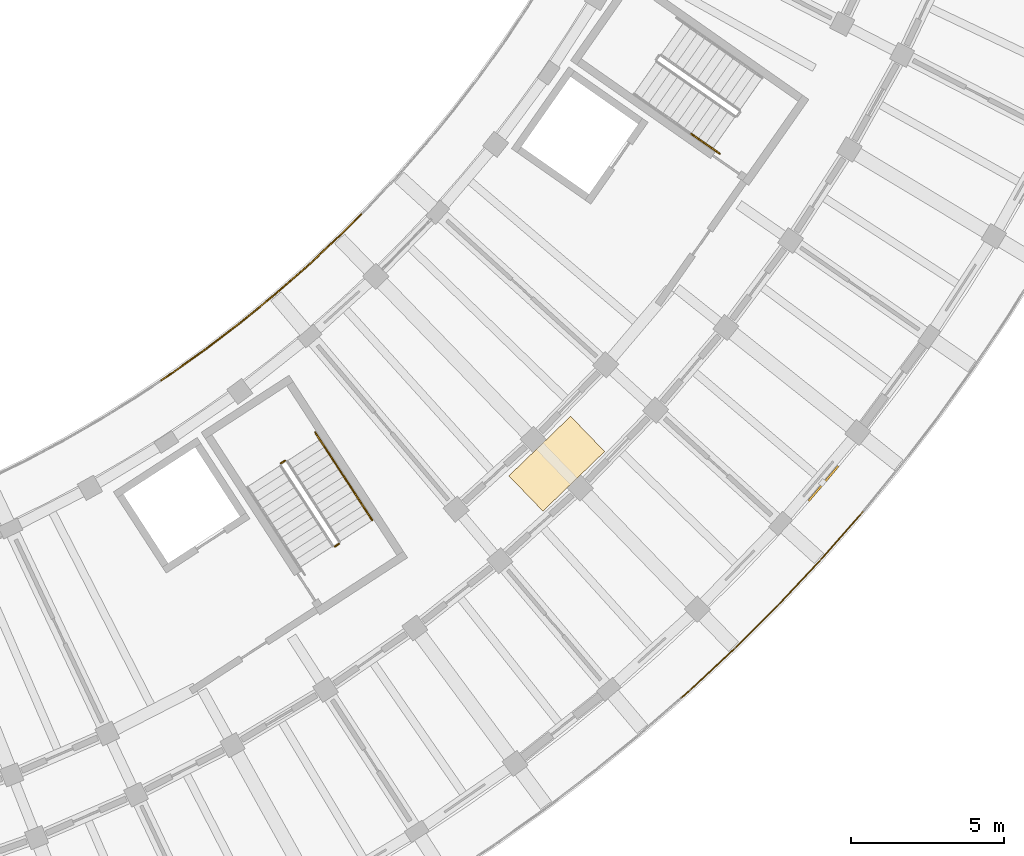
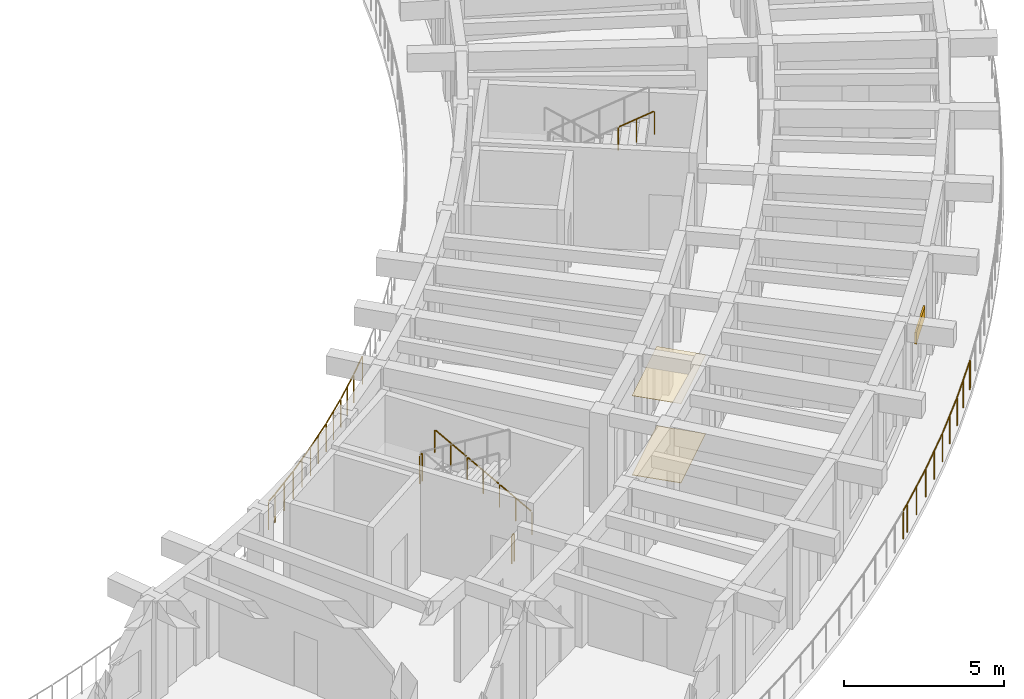
# One storey, part 121 of 128: 8 railings, 2 coverings, 1 shading device.
"""IFC4 building model written with IfcOpenShell, lengths in metres."""

from ifc_helpers import new_model, si_unit, direction, frame, origin, origin_2d, place, context, subcontext, project, spatial, rectangle, circle, extrude, material, layer, layer_set, type_object, element, save


model = new_model("IFC4")

# Units and contexts
model_context = context("Model", 3, precision=1e-05, world=origin(), true_north=direction((0.0, 1.0)))
body_context = subcontext(model_context, "Body", "Model", "MODEL_VIEW")
ifc_project = project(units=[si_unit("LENGTHUNIT", "METRE"), si_unit("AREAUNIT", "SQUARE_METRE"), si_unit("VOLUMEUNIT", "CUBIC_METRE"), si_unit("PLANEANGLEUNIT", "RADIAN"), si_unit("MASSUNIT", "GRAM", prefix="KILO")], contexts=[model_context])

# Site, building, storey
site_placement = place(None, origin())
site = spatial("IfcSite", under=ifc_project, at=site_placement, CompositionType="ELEMENT")
building_placement = place(site_placement, origin())
building = spatial("IfcBuilding", under=site, at=building_placement, Name="Tanwirah Colonnade Gardens", CompositionType="ELEMENT")
storey_placement = place(building_placement, frame((0.0, 0.0, 4.760009765625)))
storey = spatial("IfcBuildingStorey", under=building, at=storey_placement, Name="L01", CompositionType="ELEMENT", Elevation=4.760009765625)

# Railings
ifc_material_1 = material(Name="Precast concrete C40/50", Category="concrete")
railing_type_1 = type_object("IfcRailingType", Name="BAL-EXT110", PredefinedType="BALUSTRADE", material=ifc_material_1)
railing_1_placement = place(storey_placement, frame((144.87646484375, 29.129638671875, 0.0)))
element("IfcRailing", 1, at=railing_1_placement, inside=storey, type_object=railing_type_1, Name="Block D L01 Balcony Ribbon Balustrade 3", PredefinedType="BALUSTRADE", context=body_context, shape_type="SweptSolid", body=[
    extrude(circle(Radius=0.02392578125, at=origin_2d()), frame((0.026123046875, 0.017333984375, 1.076171875), z_axis=(0.83213401319, 0.55457459741, 0.0), x_axis=(-0.55457459741, 0.83213401319, 0.0)), (0.0, 0.0, 1.0), 0.385986328125),
    extrude(circle(Radius=0.02392578125, at=origin_2d()), frame((0.40087890625, 0.268310546875, 1.076171875), z_axis=(0.813473063063, 0.581602592558, 0.0), x_axis=(-0.581602592558, 0.813473063063, 0.0)), (0.0, 0.0, 1.0), 1.33154296875),
    extrude(circle(Radius=0.02392578125, at=origin_2d()), frame((1.53662109375, 1.08154296875, 1.076171875), z_axis=(0.793969886309, 0.607957087001, 0.0), x_axis=(-0.607957087001, 0.793969886309, 0.0)), (0.0, 0.0, 1.0), 1.331298828125),
    extrude(circle(Radius=0.02392578125, at=origin_2d()), frame((2.644775390625, 1.931396484375, 1.076171875), z_axis=(0.773762182392, 0.633476191424, 0.0), x_axis=(-0.633476191424, 0.773762182392, 0.0)), (0.0, 0.0, 1.0), 1.33154296875),
    extrude(circle(Radius=0.02392578125, at=origin_2d()), frame((3.724609375, 2.81689453125, 1.076171875), z_axis=(0.752565845379, 0.658517006894, 0.0), x_axis=(-0.658517006894, 0.752565845379, 0.0)), (0.0, 0.0, 1.0), 1.33154296875),
    extrude(circle(Radius=0.02392578125, at=origin_2d()), frame((4.775146484375, 3.737548828125, 1.076171875), z_axis=(0.730612417562, 0.682792424756, 0.0), x_axis=(-0.682792424756, 0.730612417562, 0.0)), (0.0, 0.0, 1.0), 1.331298828125),
    extrude(circle(Radius=0.02392578125, at=origin_2d()), frame((5.794677734375, 4.69189453125, 1.076171875), z_axis=(0.707908164283, 0.70630448883, 0.0), x_axis=(-0.70630448883, 0.707908164283, 0.0)), (0.0, 0.0, 1.0), 1.003173828125),
    extrude(circle(Radius=0.02099609375, at=origin_2d()), origin(), (0.0, 0.0, 1.0), 1.049072265625),
    extrude(circle(Radius=0.02099609375, at=origin_2d()), frame((0.373291015625, 0.248779296875, 0.0)), (0.0, 0.0, 1.0), 1.049072265625),
    extrude(circle(Radius=0.02099609375, at=origin_2d()), frame((0.9423828125, 0.65576171875, 0.0)), (0.0, 0.0, 1.0), 1.049072265625),
    extrude(circle(Radius=0.02099609375, at=origin_2d()), frame((1.509521484375, 1.06103515625, 0.0)), (0.0, 0.0, 1.0), 1.049072265625),
    extrude(circle(Radius=0.02099609375, at=origin_2d()), frame((2.06494140625, 1.486328125, 0.0)), (0.0, 0.0, 1.0), 1.049072265625),
    extrude(circle(Radius=0.02099609375, at=origin_2d()), frame((2.618408203125, 1.909912109375, 0.0)), (0.0, 0.0, 1.0), 1.049072265625),
    extrude(circle(Radius=0.02099609375, at=origin_2d()), frame((3.159912109375, 2.35302734375, 0.0)), (0.0, 0.0, 1.0), 1.049072265625),
    extrude(circle(Radius=0.02099609375, at=origin_2d()), frame((3.69921875, 2.794677734375, 0.0)), (0.0, 0.0, 1.0), 1.049072265625),
    extrude(circle(Radius=0.02099609375, at=origin_2d()), frame((4.2255859375, 3.25537109375, 0.0)), (0.0, 0.0, 1.0), 1.049072265625),
    extrude(circle(Radius=0.02099609375, at=origin_2d()), frame((4.750244140625, 3.71435546875, 0.0)), (0.0, 0.0, 1.0), 1.049072265625),
    extrude(circle(Radius=0.02099609375, at=origin_2d()), frame((5.26123046875, 4.192138671875, 0.0)), (0.0, 0.0, 1.0), 1.049072265625),
    extrude(circle(Radius=0.02099609375, at=origin_2d()), frame((5.7705078125, 4.66796875, 0.0)), (0.0, 0.0, 1.0), 1.049072265625),
    extrude(circle(Radius=0.02099609375, at=origin_2d()), frame((6.52685546875, 5.422607421875, 0.0)), (0.0, 0.0, 1.0), 1.049072265625),
])
railing_2_placement = place(storey_placement, frame((167.766845703125, 24.8408203125, 0.0)))
element("IfcRailing", 2, at=railing_2_placement, inside=storey, type_object=railing_type_1, Name="Block D L01 Balcony Ribbon Balustrade 13", PredefinedType="BALUSTRADE", context=body_context, shape_type="SweptSolid", body=[
    extrude(circle(Radius=0.02392578125, at=origin_2d()), frame((-0.019775390625, -0.024169921875, 1.076171875), z_axis=(-0.635184473402, -0.772360462963, 0.0), x_axis=(0.772360462963, -0.635184473402, 0.0)), (0.0, 0.0, 1.0), 0.019287109375),
    extrude(circle(Radius=0.02392578125, at=origin_2d()), frame((-0.07275390625, -0.086669921875, 1.076171875), z_axis=(-0.660199900943, -0.751089935224, 0.0), x_axis=(0.751089935224, -0.660199900943, 0.0)), (0.0, 0.0, 1.0), 1.944091796875),
    extrude(circle(Radius=0.02392578125, at=origin_2d()), frame((-1.398193359375, -1.593017578125, 1.076171875), z_axis=(-0.684365955264, -0.729138696871, 0.0), x_axis=(0.729138696871, -0.684365955264, 0.0)), (0.0, 0.0, 1.0), 1.944091796875),
    extrude(circle(Radius=0.02392578125, at=origin_2d()), frame((-2.772216796875, -3.055419921875, 1.076171875), z_axis=(-0.707897217537, -0.706315460261, 0.0), x_axis=(0.706315460261, -0.707897217537, 0.0)), (0.0, 0.0, 1.0), 1.944091796875),
    extrude(circle(Radius=0.02392578125, at=origin_2d()), frame((-4.193359375, -4.471923828125, 1.076171875), z_axis=(-0.730610060212, -0.682794947196, 0.0), x_axis=(0.682794947196, -0.730610060212, 0.0)), (0.0, 0.0, 1.0), 1.944091796875),
    extrude(circle(Radius=0.02392578125, at=origin_2d()), frame((-5.659912109375, -5.84130859375, 1.076171875), z_axis=(-0.752306356802, -0.658813437564, 0.0), x_axis=(0.658813437564, -0.752306356802, 0.0)), (0.0, 0.0, 1.0), 0.3291015625),
    extrude(circle(Radius=0.02099609375, at=origin_2d()), origin(), (0.0, 0.0, 1.0), 1.049072265625),
    extrude(circle(Radius=0.02099609375, at=origin_2d()), frame((-0.052001953125, -0.063232421875, 0.0)), (0.0, 0.0, 1.0), 1.049072265625),
    extrude(circle(Radius=0.02099609375, at=origin_2d()), frame((-0.71435546875, -0.81689453125, 0.0)), (0.0, 0.0, 1.0), 1.049072265625),
    extrude(circle(Radius=0.02099609375, at=origin_2d()), frame((-1.376708984375, -1.5703125, 0.0)), (0.0, 0.0, 1.0), 1.049072265625),
    extrude(circle(Radius=0.02099609375, at=origin_2d()), frame((-2.0634765625, -2.3017578125, 0.0)), (0.0, 0.0, 1.0), 1.049072265625),
    extrude(circle(Radius=0.02099609375, at=origin_2d()), frame((-2.75, -3.033447265625, 0.0)), (0.0, 0.0, 1.0), 1.049072265625),
    extrude(circle(Radius=0.02099609375, at=origin_2d()), frame((-3.460205078125, -3.7421875, 0.0)), (0.0, 0.0, 1.0), 1.049072265625),
    extrude(circle(Radius=0.02099609375, at=origin_2d()), frame((-4.17041015625, -4.45068359375, 0.0)), (0.0, 0.0, 1.0), 1.049072265625),
    extrude(circle(Radius=0.02099609375, at=origin_2d()), frame((-4.9033203125, -5.1357421875, 0.0)), (0.0, 0.0, 1.0), 1.049072265625),
    extrude(circle(Radius=0.02099609375, at=origin_2d()), frame((-5.636474609375, -5.82080078125, 0.0)), (0.0, 0.0, 1.0), 1.049072265625),
    extrude(circle(Radius=0.02099609375, at=origin_2d()), frame((-5.93115234375, -6.078857421875, 0.0)), (0.0, 0.0, 1.0), 1.049072265625),
])

# Coverings
ifc_material_2 = material(Name="Acoustic perforated gypsum ceiling board")
ifc_layer_1 = layer(ifc_material_2, 0.014892578125)
ifc_layer_set_1 = layer_set([ifc_layer_1], Name="Acoustic perforated gypsum ceiling board")
covering_type_1 = type_object("IfcCoveringType", Name="COV-CEIL15", PredefinedType="CEILING", material=ifc_layer_set_1)
covering_1_placement = place(storey_placement, frame((157.7822265625, 26.410888671875, 3.03271484375), z_axis=(0.0, 0.0, 1.0), x_axis=(0.719339800339, 0.694658370459, 0.0)))
element("IfcCovering", 3, at=covering_1_placement, inside=storey, type_object=covering_type_1, Name="Block D L01 Corridor Acoustic Ceiling", PredefinedType="CEILING", context=body_context, shape_type="SweptSolid", body=[
    extrude(rectangle(XDim=2.800048828125, YDim=1.60009765625, at=origin_2d()), origin(), (0.0, 0.0, 1.0), 0.014892578125),
])
ifc_material_3 = material(Name="Honed Abu Dhabi limestone terrazzo flooring", Category="masonry")
ifc_layer_2 = layer(ifc_material_3, 0.02001953125)
ifc_layer_set_2 = layer_set([ifc_layer_2], Name="Honed Abu Dhabi limestone terrazzo flooring")
covering_type_2 = type_object("IfcCoveringType", Name="COV-FLR20", PredefinedType="FLOORING", material=ifc_layer_set_2)
covering_2_placement = place(storey_placement, frame((157.7822265625, 26.410888671875, 0.0), z_axis=(0.0, 0.0, 1.0), x_axis=(0.719339800339, 0.694658370459, 0.0)))
element("IfcCovering", 4, at=covering_2_placement, inside=storey, type_object=covering_type_2, Name="Block D L01 Corridor Terrazzo Flooring", PredefinedType="FLOORING", context=body_context, shape_type="SweptSolid", body=[
    extrude(rectangle(XDim=2.800048828125, YDim=1.60009765625, at=origin_2d()), origin(), (0.0, 0.0, 1.0), 0.02001953125),
])

# Railings
ifc_material_4 = material(Name="Powder-coated galvanized steel", Category="steel")
railing_type_2 = type_object("IfcRailingType", Name="GRD-ST110", PredefinedType="GUARDRAIL", material=ifc_material_4)
railing_3_placement = place(storey_placement, frame((148.91455078125, 26.50927734375, 2.0400390625)))
element("IfcRailing", 5, at=railing_3_placement, inside=storey, type_object=railing_type_2, Name="L01 ST-D1 stair guard 2", PredefinedType="GUARDRAIL", context=body_context, shape_type="SweptSolid", body=[
    extrude(circle(Radius=0.02392578125, at=origin_2d()), frame((-0.026123046875, -0.01708984375, 1.076171875), z_axis=(-0.839036711771, -0.544074807633, 0.0), x_axis=(0.544074807633, -0.839036711771, 0.0)), (0.0, 0.0, 1.0), 0.09716796875),
    extrude(circle(Radius=0.02099609375, at=origin_2d()), origin(), (0.0, 0.0, 1.0), 1.049072265625),
    extrude(circle(Radius=0.02099609375, at=origin_2d()), frame((-0.134033203125, -0.0869140625, 0.0)), (0.0, 0.0, 1.0), 1.049072265625),
])
railing_4_placement = place(storey_placement, frame((150.676513671875, 23.79638671875, 0.0)))
element("IfcRailing", 6, at=railing_4_placement, inside=storey, type_object=railing_type_2, Name="L01 ST-D1 stair guard 4", PredefinedType="GUARDRAIL", context=body_context, shape_type="SweptSolid", body=[
    extrude(circle(Radius=0.02392578125, at=origin_2d()), frame((-0.026123046875, -0.01708984375, 1.076171875), z_axis=(-0.838791880614, -0.544452184326, 0.0), x_axis=(0.544452184326, -0.838791880614, 0.0)), (0.0, 0.0, 1.0), 0.09765625),
    extrude(circle(Radius=0.02099609375, at=origin_2d()), origin(), (0.0, 0.0, 1.0), 1.049072265625),
    extrude(circle(Radius=0.02099609375, at=origin_2d()), frame((-0.13427734375, -0.087158203125, 0.0)), (0.0, 0.0, 1.0), 1.049072265625),
])
ifc_material_5 = material(Name="Brushed bronze stainless steel", Category="steel")
railing_type_3 = type_object("IfcRailingType", Name="HR-ST090", PredefinedType="HANDRAIL", material=ifc_material_5)
railing_5_placement = place(storey_placement, frame((151.7646484375, 24.5625, 0.169921875)))
element("IfcRailing", 7, at=railing_5_placement, inside=storey, type_object=railing_type_3, Name="L01 ST-D1 stair handrail 1", PredefinedType="HANDRAIL", context=body_context, shape_type="SweptSolid", body=[
    extrude(circle(Radius=0.02392578125, at=origin_2d()), frame((-0.0146484375, 0.0224609375, 0.89208984375), z_axis=(-0.466640815248, 0.718586485455, 0.515635348348), x_axis=(-0.838678407117, -0.544626963559, 0.0)), (0.0, 0.0, 1.0), 1.267822265625),
    extrude(circle(Radius=0.02099609375, at=origin_2d()), origin(), (0.0, 0.0, 1.0), 0.848876953125),
    extrude(circle(Radius=0.02099609375, at=origin_2d()), frame((-0.310546875, 0.47802734375, 0.343017578125)), (0.0, 0.0, 1.0), 0.848876953125),
    extrude(circle(Radius=0.02099609375, at=origin_2d()), frame((-0.620849609375, 0.9560546875, 0.68603515625)), (0.0, 0.0, 1.0), 0.848876953125),
])
railing_6_placement = place(storey_placement, frame((151.143798828125, 25.5185546875, 0.85595703125)))
element("IfcRailing", 8, at=railing_6_placement, inside=storey, type_object=railing_type_3, Name="L01 ST-D1 stair handrail 2", PredefinedType="HANDRAIL", context=body_context, shape_type="SweptSolid", body=[
    extrude(circle(Radius=0.02392578125, at=origin_2d()), frame((-0.0146484375, 0.0224609375, 0.89208984375), z_axis=(-0.466579287974, 0.718675214705, 0.515567361072), x_axis=(-0.838741915939, -0.544529152982, 0.0)), (0.0, 0.0, 1.0), 1.26806640625),
    extrude(circle(Radius=0.02099609375, at=origin_2d()), origin(), (0.0, 0.0, 1.0), 0.848876953125),
    extrude(circle(Radius=0.02099609375, at=origin_2d()), frame((-0.310546875, 0.47802734375, 0.343017578125)), (0.0, 0.0, 1.0), 0.848876953125),
    extrude(circle(Radius=0.02099609375, at=origin_2d()), frame((-0.620849609375, 0.956298828125, 0.68603515625)), (0.0, 0.0, 1.0), 0.848876953125),
])
railing_7_placement = place(storey_placement, frame((150.52294921875, 26.474853515625, 1.5419921875)))
element("IfcRailing", 9, at=railing_7_placement, inside=storey, type_object=railing_type_3, Name="L01 ST-D1 stair handrail 3", PredefinedType="HANDRAIL", context=body_context, shape_type="SweptSolid", body=[
    extrude(circle(Radius=0.02392578125, at=origin_2d()), frame((-0.0146484375, 0.0224609375, 0.89208984375), z_axis=(-0.466640815248, 0.718586485455, 0.515635348348), x_axis=(-0.838678407117, -0.544626963559, 0.0)), (0.0, 0.0, 1.0), 1.267822265625),
    extrude(circle(Radius=0.02099609375, at=origin_2d()), origin(), (0.0, 0.0, 1.0), 0.848876953125),
    extrude(circle(Radius=0.02099609375, at=origin_2d()), frame((-0.310546875, 0.47802734375, 0.343017578125)), (0.0, 0.0, 1.0), 0.848876953125),
    extrude(circle(Radius=0.02099609375, at=origin_2d()), frame((-0.620849609375, 0.9560546875, 0.68603515625)), (0.0, 0.0, 1.0), 0.848876953125),
])
railing_8_placement = place(storey_placement, frame((162.16748046875, 37.17578125, 3.58203125)))
element("IfcRailing", 10, at=railing_8_placement, inside=storey, type_object=railing_type_3, Name="L01 ST-D2 stair handrail 6", PredefinedType="HANDRAIL", context=body_context, shape_type="SweptSolid", body=[
    extrude(circle(Radius=0.02392578125, at=origin_2d()), frame((0.02197265625, -0.015380859375, 0.89208984375), z_axis=(0.701883200119, -0.491409989521, 0.515631841133), x_axis=(0.573534209649, 0.819181610122, 0.0)), (0.0, 0.0, 1.0), 1.26806640625),
    extrude(circle(Radius=0.02099609375, at=origin_2d()), origin(), (0.0, 0.0, 1.0), 0.848876953125),
    extrude(circle(Radius=0.02099609375, at=origin_2d()), frame((0.466796875, -0.326904296875, 0.343017578125)), (0.0, 0.0, 1.0), 0.848876953125),
    extrude(circle(Radius=0.02099609375, at=origin_2d()), frame((0.933837890625, -0.65380859375, 0.68603515625)), (0.0, 0.0, 1.0), 0.848876953125),
])

# Shading device
ifc_material_6 = material(Name="Perforated architectural bronze aluminium", Category="aluminium")
ifc_layer_3 = layer(ifc_material_6, 0.050048828125)
ifc_layer_set_3 = layer_set([ifc_layer_3], Name="Perforated architectural bronze aluminium")
shading_device_type = type_object("IfcShadingDeviceType", Name="SHD-OVH1", PredefinedType="SHUTTER", material=ifc_layer_set_3)
shading_device_placement = place(storey_placement, frame((166.484375, 25.764892578125, 2.0849609375), z_axis=(0.0, 0.0, 1.0), x_axis=(0.647786754983, 0.761821711471, 0.0)))
element("IfcShadingDevice", 11, at=shading_device_placement, inside=storey, type_object=shading_device_type, Name="Solar shading louver hood D-L01-09", PredefinedType="SHUTTER", context=body_context, shape_type="SweptSolid", body=[
    extrude(rectangle(XDim=1.5, YDim=0.06005859375, at=origin_2d()), origin(), (0.0, 0.0, 1.0), 0.449951171875),
])

save(model, "model.ifc")
